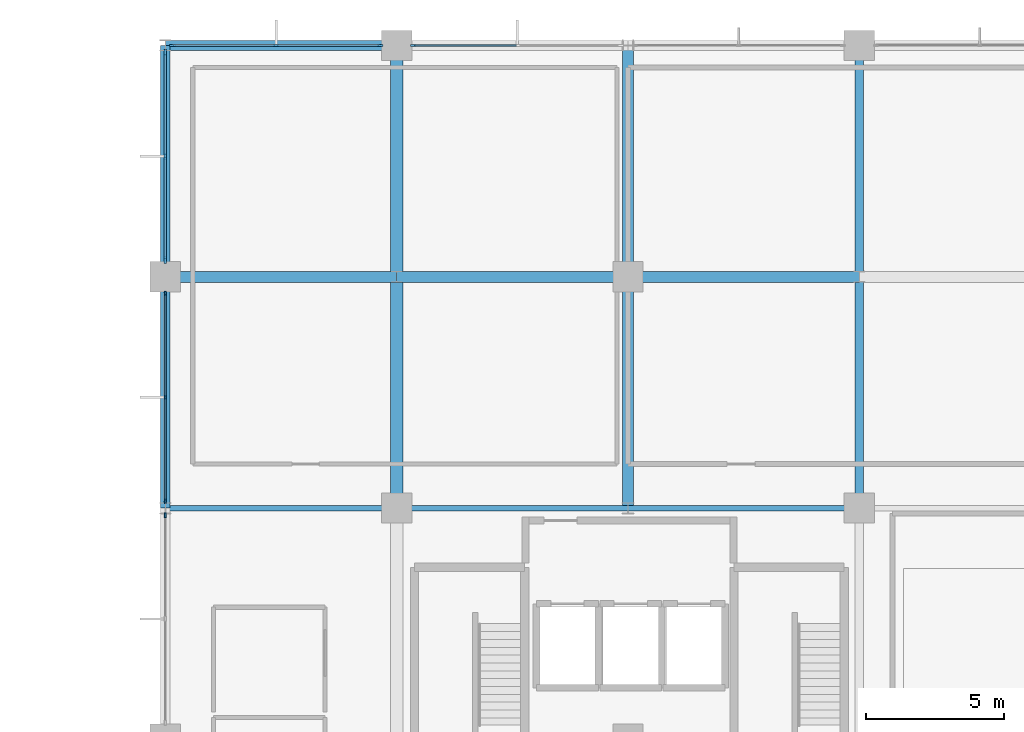
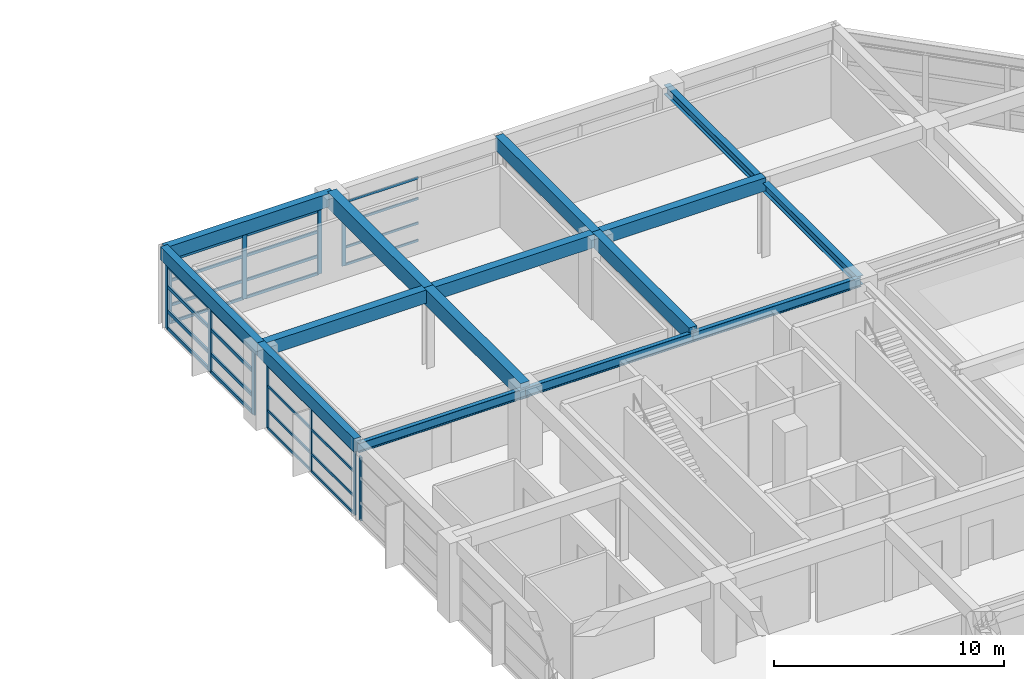
# One storey, part 10 of 19: 39 members, 15 beams, 5 elements without a shape of their own.
"""IFC4 building model written with IfcOpenShell, lengths in metres."""

from ifc_helpers import new_model, si_unit, direction, frame, origin, origin_2d, place, context, subcontext, project, spatial, rectangle, i_section, extrude, material, material_profile, profile_set, type_object, element, aggregate, save


model = new_model("IFC4")

# Units and contexts
model_context = context("Model", 3, precision=1e-05, world=origin(), true_north=direction((0.0, 1.0)))
body_context = subcontext(model_context, "Body", "Model", "MODEL_VIEW")
ifc_project = project(units=[si_unit("LENGTHUNIT", "METRE"), si_unit("AREAUNIT", "SQUARE_METRE"), si_unit("VOLUMEUNIT", "CUBIC_METRE"), si_unit("PLANEANGLEUNIT", "RADIAN"), si_unit("MASSUNIT", "GRAM", prefix="KILO")], contexts=[model_context])

# Site, building, storey
site_placement = place(None, origin())
site = spatial("IfcSite", under=ifc_project, at=site_placement, CompositionType="ELEMENT")
building_placement = place(site_placement, origin())
building = spatial("IfcBuilding", under=site, at=building_placement, Name="Xuanlan Plaza Opera House", CompositionType="ELEMENT")
storey_placement = place(building_placement, frame((0.0, 0.0, 36.300048828125)))
storey = spatial("IfcBuildingStorey", under=building, at=storey_placement, Name="L08", CompositionType="ELEMENT", Elevation=36.300048828125)

# Curtain wall, members
ifc_material_1 = material(Name="Anodised Aluminium 6063-T6 and Low-E Glass", Category="aluminium")
curtain_wall_type_1 = type_object("IfcCurtainWallType", Name="ENV-CW-CW-02", PredefinedType="USERDEFINED", material=ifc_material_1)
curtain_wall_1_placement = place(storey_placement, origin())
curtain_wall_1 = element("IfcCurtainWall", 1, at=curtain_wall_1_placement, inside=storey, type_object=curtain_wall_type_1, Name="Unitised Curtain Wall L08-016", ObjectType="UNITISED CURTAIN WALL", PredefinedType="USERDEFINED")
ifc_material_2 = material(Name="Anodised Aluminium 6063-T6", Category="aluminium")
ifc_material_profile_1 = material_profile(ifc_material_2, rectangle(XDim=0.06494140625, YDim=0.159912109375, at=origin_2d()), Name="ALU-M 65x160")
ifc_profile_set_1 = profile_set([ifc_material_profile_1], Name="Anodised Aluminium 6063-T6")
member_type_1 = type_object("IfcMemberType", Name="ENV-CWM-01", PredefinedType="MULLION", material=ifc_profile_set_1)
member_1_placement = place(storey_placement, frame((126.0, 74.99755859375, 0.0), z_axis=(0.0, 0.0, 1.0), x_axis=(1.0, 0.0, 0.0)))
member_1 = element("IfcMember", 2, at=member_1_placement, type_object=member_type_1, Name="CW-02 mullion 1", PredefinedType="MULLION", context=body_context, shape_type="SweptSolid", body=[
    extrude(rectangle(XDim=0.06494140625, YDim=0.159912109375, at=origin_2d()), origin(), (0.0, 0.0, 1.0), 3.3798828125),
])
member_2_placement = place(storey_placement, frame((126.0, 71.22509765625, 0.0), z_axis=(0.0, 0.0, 1.0), x_axis=(1.0, 0.0, 0.0)))
member_2 = element("IfcMember", 3, at=member_2_placement, type_object=member_type_1, Name="CW-02 mullion 2", PredefinedType="MULLION", context=body_context, shape_type="SweptSolid", body=[
    extrude(rectangle(XDim=0.06494140625, YDim=0.159912109375, at=origin_2d()), origin(), (0.0, 0.0, 1.0), 3.3798828125),
])
member_3_placement = place(storey_placement, frame((126.0, 67.452392578125, 0.0), z_axis=(0.0, 0.0, 1.0), x_axis=(1.0, 0.0, 0.0)))
member_3 = element("IfcMember", 4, at=member_3_placement, type_object=member_type_1, Name="CW-02 mullion 3", PredefinedType="MULLION", context=body_context, shape_type="SweptSolid", body=[
    extrude(rectangle(XDim=0.06494140625, YDim=0.159912109375, at=origin_2d()), origin(), (0.0, 0.0, 1.0), 3.3798828125),
])

# Curtain wall, member
curtain_wall_type_2 = type_object("IfcCurtainWallType", Name="ENV-CW-CW-03", PredefinedType="USERDEFINED", material=ifc_material_1)
curtain_wall_2_placement = place(storey_placement, origin())
curtain_wall_2 = element("IfcCurtainWall", 5, at=curtain_wall_2_placement, inside=storey, type_object=curtain_wall_type_2, Name="Unitised Curtain Wall L08-017", ObjectType="UNITISED CURTAIN WALL", PredefinedType="USERDEFINED")
ifc_material_profile_2 = material_profile(ifc_material_2, rectangle(XDim=0.070068359375, YDim=0.179931640625, at=origin_2d()), Name="ALU-M 70x180")
ifc_profile_set_2 = profile_set([ifc_material_profile_2], Name="Anodised Aluminium 6063-T6")
member_type_2 = type_object("IfcMemberType", Name="ENV-CWM-02", PredefinedType="MULLION", material=ifc_profile_set_2)
member_4_placement = place(storey_placement, frame((126.0, 66.945068359375, 0.0), z_axis=(0.0, 0.0, 1.0), x_axis=(1.0, 0.0, 0.0)))
member_4 = element("IfcMember", 6, at=member_4_placement, type_object=member_type_2, Name="CW-03 mullion 1", PredefinedType="MULLION", context=body_context, shape_type="SweptSolid", body=[
    extrude(rectangle(XDim=0.070068359375, YDim=0.179931640625, at=origin_2d()), origin(), (0.0, 0.0, 1.0), 3.3798828125),
])
aggregate(curtain_wall_2, [member_4])

curtain_wall_3_placement = place(storey_placement, origin())
curtain_wall_3 = element("IfcCurtainWall", 7, at=curtain_wall_3_placement, inside=storey, type_object=curtain_wall_type_2, Name="Unitised Curtain Wall L08-013", ObjectType="UNITISED CURTAIN WALL", PredefinedType="USERDEFINED")
ifc_material_profile_3 = material_profile(ifc_material_2, rectangle(XDim=0.074951171875, YDim=0.199951171875, at=origin_2d()), Name="ALU-M 75x200")
ifc_profile_set_3 = profile_set([ifc_material_profile_3], Name="Anodised Aluminium 6063-T6")
member_type_3 = type_object("IfcMemberType", Name="ENV-CWM-03", PredefinedType="MULLION", material=ifc_profile_set_3)
member_5_placement = place(storey_placement, frame((135.007568359375, 84.0, 0.0), z_axis=(0.0, 0.0, 1.0), x_axis=(0.0, -1.0, 0.0)))
member_5 = element("IfcMember", 8, at=member_5_placement, type_object=member_type_3, Name="CW-03 mullion 3", PredefinedType="MULLION", context=body_context, shape_type="SweptSolid", body=[
    extrude(rectangle(XDim=0.074951171875, YDim=0.199951171875, at=origin_2d()), origin(), (0.0, 0.0, 1.0), 3.3798828125),
])

# Curtain wall, members
curtain_wall_type_3 = type_object("IfcCurtainWallType", Name="ENV-CW-CW-04", PredefinedType="USERDEFINED", material=ifc_material_1)
curtain_wall_4_placement = place(storey_placement, origin())
curtain_wall_4 = element("IfcCurtainWall", 9, at=curtain_wall_4_placement, inside=storey, type_object=curtain_wall_type_3, Name="Unitised Curtain Wall L08-014", ObjectType="UNITISED CURTAIN WALL", PredefinedType="USERDEFINED")
ifc_material_profile_4 = material_profile(ifc_material_2, rectangle(XDim=0.080078125, YDim=0.219970703125, at=origin_2d()), Name="ALU-M 80x220")
ifc_profile_set_4 = profile_set([ifc_material_profile_4], Name="Anodised Aluminium 6063-T6")
member_type_4 = type_object("IfcMemberType", Name="ENV-CWM-04", PredefinedType="MULLION", material=ifc_profile_set_4)
member_6_placement = place(storey_placement, frame((133.7900390625, 84.0, 0.0), z_axis=(0.0, 0.0, 1.0), x_axis=(0.0, -1.0, 0.0)))
member_6 = element("IfcMember", 10, at=member_6_placement, type_object=member_type_4, Name="CW-04 mullion 1", PredefinedType="MULLION", context=body_context, shape_type="SweptSolid", body=[
    extrude(rectangle(XDim=0.080078125, YDim=0.219970703125, at=origin_2d()), origin(), (0.0, 0.0, 1.0), 3.3798828125),
])
member_7_placement = place(storey_placement, frame((130.02490234375, 84.0, 0.0), z_axis=(0.0, 0.0, 1.0), x_axis=(0.0, -1.0, 0.0)))
member_7 = element("IfcMember", 11, at=member_7_placement, type_object=member_type_4, Name="CW-04 mullion 2", PredefinedType="MULLION", context=body_context, shape_type="SweptSolid", body=[
    extrude(rectangle(XDim=0.080078125, YDim=0.219970703125, at=origin_2d()), origin(), (0.0, 0.0, 1.0), 3.3798828125),
])
member_8_placement = place(storey_placement, frame((126.260009765625, 84.0, 0.0), z_axis=(0.0, 0.0, 1.0), x_axis=(0.0, -1.0, 0.0)))
member_8 = element("IfcMember", 12, at=member_8_placement, type_object=member_type_4, Name="CW-04 mullion 3", PredefinedType="MULLION", context=body_context, shape_type="SweptSolid", body=[
    extrude(rectangle(XDim=0.080078125, YDim=0.219970703125, at=origin_2d()), origin(), (0.0, 0.0, 1.0), 3.3798828125),
])

curtain_wall_type_4 = type_object("IfcCurtainWallType", Name="ENV-CW-CW-01", PredefinedType="USERDEFINED", material=ifc_material_1)
curtain_wall_5_placement = place(storey_placement, origin())
curtain_wall_5 = element("IfcCurtainWall", 13, at=curtain_wall_5_placement, inside=storey, type_object=curtain_wall_type_4, Name="Unitised Curtain Wall L08-015", ObjectType="UNITISED CURTAIN WALL", PredefinedType="USERDEFINED")
ifc_material_profile_5 = material_profile(ifc_material_2, rectangle(XDim=0.090087890625, YDim=0.25, at=origin_2d()), Name="ALU-M 90x250")
ifc_profile_set_5 = profile_set([ifc_material_profile_5], Name="Anodised Aluminium 6063-T6")
member_type_5 = type_object("IfcMemberType", Name="ENV-CWM-05", PredefinedType="MULLION", material=ifc_profile_set_5)
member_9_placement = place(storey_placement, frame((126.0, 83.735107421875, 0.0), z_axis=(0.0, 0.0, 1.0), x_axis=(1.0, 0.0, 0.0)))
member_9 = element("IfcMember", 14, at=member_9_placement, type_object=member_type_5, Name="CW-01 mullion 1", PredefinedType="MULLION", context=body_context, shape_type="SweptSolid", body=[
    extrude(rectangle(XDim=0.090087890625, YDim=0.25, at=origin_2d()), origin(), (0.0, 0.0, 1.0), 3.3798828125),
])
member_10_placement = place(storey_placement, frame((126.0, 79.97509765625, 0.0), z_axis=(0.0, 0.0, 1.0), x_axis=(1.0, 0.0, 0.0)))
member_10 = element("IfcMember", 15, at=member_10_placement, type_object=member_type_5, Name="CW-01 mullion 2", PredefinedType="MULLION", context=body_context, shape_type="SweptSolid", body=[
    extrude(rectangle(XDim=0.090087890625, YDim=0.25, at=origin_2d()), origin(), (0.0, 0.0, 1.0), 3.3798828125),
])
member_11_placement = place(storey_placement, frame((126.0, 76.215087890625, 0.0), z_axis=(0.0, 0.0, 1.0), x_axis=(1.0, 0.0, 0.0)))
member_11 = element("IfcMember", 16, at=member_11_placement, type_object=member_type_5, Name="CW-01 mullion 3", PredefinedType="MULLION", context=body_context, shape_type="SweptSolid", body=[
    extrude(rectangle(XDim=0.090087890625, YDim=0.25, at=origin_2d()), origin(), (0.0, 0.0, 1.0), 3.3798828125),
])

# Member
ifc_material_profile_6 = material_profile(ifc_material_2, rectangle(XDim=0.06494140625, YDim=0.1201171875, at=origin_2d()), Name="ALU-T 65x120")
ifc_profile_set_6 = profile_set([ifc_material_profile_6], Name="Anodised Aluminium 6063-T6")
member_type_6 = type_object("IfcMemberType", Name="ENV-CWT-01", PredefinedType="USERDEFINED", material=ifc_profile_set_6)
member_12_placement = place(storey_placement, frame((138.737548828125, 84.0, 0.032470703125), z_axis=(-1.0, 0.0, 0.0), x_axis=(0.0, -1.0, 0.0)))
member_12 = element("IfcMember", 17, at=member_12_placement, type_object=member_type_6, Name="CW-03 transom 2.1", ObjectType="TRANSOM", PredefinedType="USERDEFINED", context=body_context, shape_type="SweptSolid", body=[
    extrude(rectangle(XDim=0.06494140625, YDim=0.1201171875, at=origin_2d()), origin(), (0.0, 0.0, 1.0), 3.692626953125),
])

member_13_placement = place(storey_placement, frame((138.737548828125, 84.0, 0.949951171875), z_axis=(-1.0, 0.0, 0.0), x_axis=(0.0, -1.0, 0.0)))
member_13 = element("IfcMember", 18, at=member_13_placement, type_object=member_type_6, Name="CW-03 transom 2.2", ObjectType="TRANSOM", PredefinedType="USERDEFINED", context=body_context, shape_type="SweptSolid", body=[
    extrude(rectangle(XDim=0.06494140625, YDim=0.1201171875, at=origin_2d()), origin(), (0.0, 0.0, 1.0), 3.692626953125),
])

member_14_placement = place(storey_placement, frame((138.737548828125, 84.0, 2.25), z_axis=(-1.0, 0.0, 0.0), x_axis=(0.0, -1.0, 0.0)))
member_14 = element("IfcMember", 19, at=member_14_placement, type_object=member_type_6, Name="CW-03 transom 2.3", ObjectType="TRANSOM", PredefinedType="USERDEFINED", context=body_context, shape_type="SweptSolid", body=[
    extrude(rectangle(XDim=0.06494140625, YDim=0.1201171875, at=origin_2d()), origin(), (0.0, 0.0, 1.0), 3.692626953125),
])

member_15_placement = place(storey_placement, frame((138.737548828125, 84.0, 3.347412109375), z_axis=(-1.0, 0.0, 0.0), x_axis=(0.0, -1.0, 0.0)))
member_15 = element("IfcMember", 20, at=member_15_placement, type_object=member_type_6, Name="CW-03 transom 2.4", ObjectType="TRANSOM", PredefinedType="USERDEFINED", context=body_context, shape_type="SweptSolid", body=[
    extrude(rectangle(XDim=0.06494140625, YDim=0.1201171875, at=origin_2d()), origin(), (0.0, 0.0, 1.0), 3.692626953125),
])

aggregate(curtain_wall_3, [member_5, member_12, member_13, member_14, member_15])

ifc_material_profile_7 = material_profile(ifc_material_2, rectangle(XDim=0.070068359375, YDim=0.135009765625, at=origin_2d()), Name="ALU-T 70x135")
ifc_profile_set_7 = profile_set([ifc_material_profile_7], Name="Anodised Aluminium 6063-T6")
member_type_7 = type_object("IfcMemberType", Name="ENV-CWT-02", PredefinedType="USERDEFINED", material=ifc_profile_set_7)
member_16_placement = place(storey_placement, frame((126.0, 74.965087890625, 0.034912109375), z_axis=(0.0, -1.0, 0.0), x_axis=(1.0, 0.0, 0.0)))
member_16 = element("IfcMember", 21, at=member_16_placement, type_object=member_type_7, Name="CW-02 transom 1.1", ObjectType="TRANSOM", PredefinedType="USERDEFINED", context=body_context, shape_type="SweptSolid", body=[
    extrude(rectangle(XDim=0.070068359375, YDim=0.135009765625, at=origin_2d()), origin(), (0.0, 0.0, 1.0), 3.70751953125),
])

member_17_placement = place(storey_placement, frame((126.0, 74.965087890625, 0.949951171875), z_axis=(0.0, -1.0, 0.0), x_axis=(1.0, 0.0, 0.0)))
member_17 = element("IfcMember", 22, at=member_17_placement, type_object=member_type_7, Name="CW-02 transom 1.2", ObjectType="TRANSOM", PredefinedType="USERDEFINED", context=body_context, shape_type="SweptSolid", body=[
    extrude(rectangle(XDim=0.070068359375, YDim=0.135009765625, at=origin_2d()), origin(), (0.0, 0.0, 1.0), 3.70751953125),
])

member_18_placement = place(storey_placement, frame((126.0, 74.965087890625, 2.25), z_axis=(0.0, -1.0, 0.0), x_axis=(1.0, 0.0, 0.0)))
member_18 = element("IfcMember", 23, at=member_18_placement, type_object=member_type_7, Name="CW-02 transom 1.3", ObjectType="TRANSOM", PredefinedType="USERDEFINED", context=body_context, shape_type="SweptSolid", body=[
    extrude(rectangle(XDim=0.070068359375, YDim=0.135009765625, at=origin_2d()), origin(), (0.0, 0.0, 1.0), 3.70751953125),
])

member_19_placement = place(storey_placement, frame((126.0, 74.965087890625, 3.344970703125), z_axis=(0.0, -1.0, 0.0), x_axis=(1.0, 0.0, 0.0)))
member_19 = element("IfcMember", 24, at=member_19_placement, type_object=member_type_7, Name="CW-02 transom 1.4", ObjectType="TRANSOM", PredefinedType="USERDEFINED", context=body_context, shape_type="SweptSolid", body=[
    extrude(rectangle(XDim=0.070068359375, YDim=0.135009765625, at=origin_2d()), origin(), (0.0, 0.0, 1.0), 3.70751953125),
])

member_20_placement = place(storey_placement, frame((126.0, 71.1923828125, 0.034912109375), z_axis=(0.0, -1.0, 0.0), x_axis=(1.0, 0.0, 0.0)))
member_20 = element("IfcMember", 25, at=member_20_placement, type_object=member_type_7, Name="CW-02 transom 2.1", ObjectType="TRANSOM", PredefinedType="USERDEFINED", context=body_context, shape_type="SweptSolid", body=[
    extrude(rectangle(XDim=0.070068359375, YDim=0.135009765625, at=origin_2d()), origin(), (0.0, 0.0, 1.0), 3.707275390625),
])

member_21_placement = place(storey_placement, frame((126.0, 71.1923828125, 0.949951171875), z_axis=(0.0, -1.0, 0.0), x_axis=(1.0, 0.0, 0.0)))
member_21 = element("IfcMember", 26, at=member_21_placement, type_object=member_type_7, Name="CW-02 transom 2.2", ObjectType="TRANSOM", PredefinedType="USERDEFINED", context=body_context, shape_type="SweptSolid", body=[
    extrude(rectangle(XDim=0.070068359375, YDim=0.135009765625, at=origin_2d()), origin(), (0.0, 0.0, 1.0), 3.707275390625),
])

member_22_placement = place(storey_placement, frame((126.0, 71.1923828125, 2.25), z_axis=(0.0, -1.0, 0.0), x_axis=(1.0, 0.0, 0.0)))
member_22 = element("IfcMember", 27, at=member_22_placement, type_object=member_type_7, Name="CW-02 transom 2.3", ObjectType="TRANSOM", PredefinedType="USERDEFINED", context=body_context, shape_type="SweptSolid", body=[
    extrude(rectangle(XDim=0.070068359375, YDim=0.135009765625, at=origin_2d()), origin(), (0.0, 0.0, 1.0), 3.707275390625),
])

member_23_placement = place(storey_placement, frame((126.0, 71.1923828125, 3.344970703125), z_axis=(0.0, -1.0, 0.0), x_axis=(1.0, 0.0, 0.0)))
member_23 = element("IfcMember", 28, at=member_23_placement, type_object=member_type_7, Name="CW-02 transom 2.4", ObjectType="TRANSOM", PredefinedType="USERDEFINED", context=body_context, shape_type="SweptSolid", body=[
    extrude(rectangle(XDim=0.070068359375, YDim=0.135009765625, at=origin_2d()), origin(), (0.0, 0.0, 1.0), 3.707275390625),
])

aggregate(curtain_wall_1, [member_1, member_2, member_3, member_16, member_17, member_18, member_19, member_20, member_21, member_22, member_23])

ifc_material_profile_8 = material_profile(ifc_material_2, rectangle(XDim=0.074951171875, YDim=0.14990234375, at=origin_2d()), Name="ALU-T 75x150")
ifc_profile_set_8 = profile_set([ifc_material_profile_8], Name="Anodised Aluminium 6063-T6")
member_type_8 = type_object("IfcMemberType", Name="ENV-CWT-03", PredefinedType="USERDEFINED", material=ifc_profile_set_8)
member_24_placement = place(storey_placement, frame((133.75, 84.0, 0.037353515625), z_axis=(-1.0, 0.0, 0.0), x_axis=(0.0, -1.0, 0.0)))
member_24 = element("IfcMember", 29, at=member_24_placement, type_object=member_type_8, Name="CW-04 transom 1.1", ObjectType="TRANSOM", PredefinedType="USERDEFINED", context=body_context, shape_type="SweptSolid", body=[
    extrude(rectangle(XDim=0.074951171875, YDim=0.14990234375, at=origin_2d()), origin(), (0.0, 0.0, 1.0), 3.68505859375),
])

member_25_placement = place(storey_placement, frame((133.75, 84.0, 0.949951171875), z_axis=(-1.0, 0.0, 0.0), x_axis=(0.0, -1.0, 0.0)))
member_25 = element("IfcMember", 30, at=member_25_placement, type_object=member_type_8, Name="CW-04 transom 1.2", ObjectType="TRANSOM", PredefinedType="USERDEFINED", context=body_context, shape_type="SweptSolid", body=[
    extrude(rectangle(XDim=0.074951171875, YDim=0.14990234375, at=origin_2d()), origin(), (0.0, 0.0, 1.0), 3.68505859375),
])

member_26_placement = place(storey_placement, frame((133.75, 84.0, 2.25), z_axis=(-1.0, 0.0, 0.0), x_axis=(0.0, -1.0, 0.0)))
member_26 = element("IfcMember", 31, at=member_26_placement, type_object=member_type_8, Name="CW-04 transom 1.3", ObjectType="TRANSOM", PredefinedType="USERDEFINED", context=body_context, shape_type="SweptSolid", body=[
    extrude(rectangle(XDim=0.074951171875, YDim=0.14990234375, at=origin_2d()), origin(), (0.0, 0.0, 1.0), 3.68505859375),
])

member_27_placement = place(storey_placement, frame((133.75, 84.0, 3.342529296875), z_axis=(-1.0, 0.0, 0.0), x_axis=(0.0, -1.0, 0.0)))
member_27 = element("IfcMember", 32, at=member_27_placement, type_object=member_type_8, Name="CW-04 transom 1.4", ObjectType="TRANSOM", PredefinedType="USERDEFINED", context=body_context, shape_type="SweptSolid", body=[
    extrude(rectangle(XDim=0.074951171875, YDim=0.14990234375, at=origin_2d()), origin(), (0.0, 0.0, 1.0), 3.68505859375),
])

member_28_placement = place(storey_placement, frame((129.985107421875, 84.0, 0.037353515625), z_axis=(-1.0, 0.0, 0.0), x_axis=(0.0, -1.0, 0.0)))
member_28 = element("IfcMember", 33, at=member_28_placement, type_object=member_type_8, Name="CW-04 transom 2.1", ObjectType="TRANSOM", PredefinedType="USERDEFINED", context=body_context, shape_type="SweptSolid", body=[
    extrude(rectangle(XDim=0.074951171875, YDim=0.14990234375, at=origin_2d()), origin(), (0.0, 0.0, 1.0), 3.68505859375),
])

member_29_placement = place(storey_placement, frame((129.985107421875, 84.0, 0.949951171875), z_axis=(-1.0, 0.0, 0.0), x_axis=(0.0, -1.0, 0.0)))
member_29 = element("IfcMember", 34, at=member_29_placement, type_object=member_type_8, Name="CW-04 transom 2.2", ObjectType="TRANSOM", PredefinedType="USERDEFINED", context=body_context, shape_type="SweptSolid", body=[
    extrude(rectangle(XDim=0.074951171875, YDim=0.14990234375, at=origin_2d()), origin(), (0.0, 0.0, 1.0), 3.68505859375),
])

member_30_placement = place(storey_placement, frame((129.985107421875, 84.0, 2.25), z_axis=(-1.0, 0.0, 0.0), x_axis=(0.0, -1.0, 0.0)))
member_30 = element("IfcMember", 35, at=member_30_placement, type_object=member_type_8, Name="CW-04 transom 2.3", ObjectType="TRANSOM", PredefinedType="USERDEFINED", context=body_context, shape_type="SweptSolid", body=[
    extrude(rectangle(XDim=0.074951171875, YDim=0.14990234375, at=origin_2d()), origin(), (0.0, 0.0, 1.0), 3.68505859375),
])

member_31_placement = place(storey_placement, frame((129.985107421875, 84.0, 3.342529296875), z_axis=(-1.0, 0.0, 0.0), x_axis=(0.0, -1.0, 0.0)))
member_31 = element("IfcMember", 36, at=member_31_placement, type_object=member_type_8, Name="CW-04 transom 2.4", ObjectType="TRANSOM", PredefinedType="USERDEFINED", context=body_context, shape_type="SweptSolid", body=[
    extrude(rectangle(XDim=0.074951171875, YDim=0.14990234375, at=origin_2d()), origin(), (0.0, 0.0, 1.0), 3.68505859375),
])

aggregate(curtain_wall_4, [member_6, member_7, member_8, member_24, member_25, member_26, member_27, member_28, member_29, member_30, member_31])

ifc_material_profile_9 = material_profile(ifc_material_2, rectangle(XDim=0.090087890625, YDim=0.179931640625, at=origin_2d()), Name="ALU-T 90x180")
ifc_profile_set_9 = profile_set([ifc_material_profile_9], Name="Anodised Aluminium 6063-T6")
member_type_9 = type_object("IfcMemberType", Name="ENV-CWT-05", PredefinedType="USERDEFINED", material=ifc_profile_set_9)
member_32_placement = place(storey_placement, frame((126.0, 83.68994140625, 0.044921875), z_axis=(0.0, -1.0, 0.0), x_axis=(1.0, 0.0, 0.0)))
member_32 = element("IfcMember", 37, at=member_32_placement, type_object=member_type_9, Name="CW-01 transom 1.1", ObjectType="TRANSOM", PredefinedType="USERDEFINED", context=body_context, shape_type="SweptSolid", body=[
    extrude(rectangle(XDim=0.090087890625, YDim=0.179931640625, at=origin_2d()), origin(), (0.0, 0.0, 1.0), 3.669921875),
])

member_33_placement = place(storey_placement, frame((126.0, 83.68994140625, 0.949951171875), z_axis=(0.0, -1.0, 0.0), x_axis=(1.0, 0.0, 0.0)))
member_33 = element("IfcMember", 38, at=member_33_placement, type_object=member_type_9, Name="CW-01 transom 1.2", ObjectType="TRANSOM", PredefinedType="USERDEFINED", context=body_context, shape_type="SweptSolid", body=[
    extrude(rectangle(XDim=0.090087890625, YDim=0.179931640625, at=origin_2d()), origin(), (0.0, 0.0, 1.0), 3.669921875),
])

member_34_placement = place(storey_placement, frame((126.0, 83.68994140625, 2.25), z_axis=(0.0, -1.0, 0.0), x_axis=(1.0, 0.0, 0.0)))
member_34 = element("IfcMember", 39, at=member_34_placement, type_object=member_type_9, Name="CW-01 transom 1.3", ObjectType="TRANSOM", PredefinedType="USERDEFINED", context=body_context, shape_type="SweptSolid", body=[
    extrude(rectangle(XDim=0.090087890625, YDim=0.179931640625, at=origin_2d()), origin(), (0.0, 0.0, 1.0), 3.669921875),
])

member_35_placement = place(storey_placement, frame((126.0, 83.68994140625, 3.3349609375), z_axis=(0.0, -1.0, 0.0), x_axis=(1.0, 0.0, 0.0)))
member_35 = element("IfcMember", 40, at=member_35_placement, type_object=member_type_9, Name="CW-01 transom 1.4", ObjectType="TRANSOM", PredefinedType="USERDEFINED", context=body_context, shape_type="SweptSolid", body=[
    extrude(rectangle(XDim=0.090087890625, YDim=0.179931640625, at=origin_2d()), origin(), (0.0, 0.0, 1.0), 3.669921875),
])

member_36_placement = place(storey_placement, frame((126.0, 79.929931640625, 0.044921875), z_axis=(0.0, -1.0, 0.0), x_axis=(1.0, 0.0, 0.0)))
member_36 = element("IfcMember", 41, at=member_36_placement, type_object=member_type_9, Name="CW-01 transom 2.1", ObjectType="TRANSOM", PredefinedType="USERDEFINED", context=body_context, shape_type="SweptSolid", body=[
    extrude(rectangle(XDim=0.090087890625, YDim=0.179931640625, at=origin_2d()), origin(), (0.0, 0.0, 1.0), 3.669921875),
])

member_37_placement = place(storey_placement, frame((126.0, 79.929931640625, 0.949951171875), z_axis=(0.0, -1.0, 0.0), x_axis=(1.0, 0.0, 0.0)))
member_37 = element("IfcMember", 42, at=member_37_placement, type_object=member_type_9, Name="CW-01 transom 2.2", ObjectType="TRANSOM", PredefinedType="USERDEFINED", context=body_context, shape_type="SweptSolid", body=[
    extrude(rectangle(XDim=0.090087890625, YDim=0.179931640625, at=origin_2d()), origin(), (0.0, 0.0, 1.0), 3.669921875),
])

member_38_placement = place(storey_placement, frame((126.0, 79.929931640625, 2.25), z_axis=(0.0, -1.0, 0.0), x_axis=(1.0, 0.0, 0.0)))
member_38 = element("IfcMember", 43, at=member_38_placement, type_object=member_type_9, Name="CW-01 transom 2.3", ObjectType="TRANSOM", PredefinedType="USERDEFINED", context=body_context, shape_type="SweptSolid", body=[
    extrude(rectangle(XDim=0.090087890625, YDim=0.179931640625, at=origin_2d()), origin(), (0.0, 0.0, 1.0), 3.669921875),
])

member_39_placement = place(storey_placement, frame((126.0, 79.929931640625, 3.3349609375), z_axis=(0.0, -1.0, 0.0), x_axis=(1.0, 0.0, 0.0)))
member_39 = element("IfcMember", 44, at=member_39_placement, type_object=member_type_9, Name="CW-01 transom 2.4", ObjectType="TRANSOM", PredefinedType="USERDEFINED", context=body_context, shape_type="SweptSolid", body=[
    extrude(rectangle(XDim=0.090087890625, YDim=0.179931640625, at=origin_2d()), origin(), (0.0, 0.0, 1.0), 3.669921875),
])

aggregate(curtain_wall_5, [member_9, member_10, member_11, member_32, member_33, member_34, member_35, member_36, member_37, member_38, member_39])

# Beams
ifc_material_3 = material(Name="Concrete C40", Category="concrete")
ifc_material_profile_10 = material_profile(ifc_material_3, rectangle(XDim=0.449951171875, YDim=0.85009765625, at=origin_2d()), Name="RC-BM 450x850")
ifc_profile_set_10 = profile_set([ifc_material_profile_10], Name="Concrete C40")
beam_type_1 = type_object("IfcBeamType", Name="STR-BM-B-04", PredefinedType="BEAM", material=ifc_profile_set_10)
beam_1_placement = place(storey_placement, frame((134.39990234375, 67.199951171875, 3.77490234375), z_axis=(0.0, 1.0, 0.0), x_axis=(-1.0, 0.0, 0.0)))
element("IfcBeam", 45, at=beam_1_placement, inside=storey, type_object=beam_type_1, Name="Grid Beam Y L08 17/I-J", PredefinedType="BEAM", context=body_context, shape_type="SweptSolid", body=[
    extrude(rectangle(XDim=0.449951171875, YDim=0.85009765625, at=origin_2d()), origin(), (0.0, 0.0, 1.0), 8.400146484375),
])
beam_2_placement = place(storey_placement, frame((134.39990234375, 75.60009765625, 3.77490234375), z_axis=(0.0, 1.0, 0.0), x_axis=(-1.0, 0.0, 0.0)))
element("IfcBeam", 46, at=beam_2_placement, inside=storey, type_object=beam_type_1, Name="Grid Beam Y L08 17/J-K", PredefinedType="BEAM", context=body_context, shape_type="SweptSolid", body=[
    extrude(rectangle(XDim=0.449951171875, YDim=0.85009765625, at=origin_2d()), origin(), (0.0, 0.0, 1.0), 8.39990234375),
])
ifc_material_profile_11 = material_profile(ifc_material_3, rectangle(XDim=0.39990234375, YDim=0.75, at=origin_2d()), Name="RC-BM 400x750")
ifc_profile_set_11 = profile_set([ifc_material_profile_11], Name="Concrete C40")
beam_type_2 = type_object("IfcBeamType", Name="STR-BM-B-06", PredefinedType="BEAM", material=ifc_profile_set_11)
beam_3_placement = place(storey_placement, frame((142.800048828125, 67.199951171875, 3.824951171875), z_axis=(0.0, 1.0, 0.0), x_axis=(-1.0, 0.0, 0.0)))
element("IfcBeam", 47, at=beam_3_placement, inside=storey, type_object=beam_type_2, Name="Grid Beam Y L08 18/I-J", PredefinedType="BEAM", context=body_context, shape_type="SweptSolid", body=[
    extrude(rectangle(XDim=0.39990234375, YDim=0.75, at=origin_2d()), origin(), (0.0, 0.0, 1.0), 8.400146484375),
])
beam_4_placement = place(storey_placement, frame((142.800048828125, 75.60009765625, 3.824951171875), z_axis=(0.0, 1.0, 0.0), x_axis=(-1.0, 0.0, 0.0)))
element("IfcBeam", 48, at=beam_4_placement, inside=storey, type_object=beam_type_2, Name="Grid Beam Y L08 18/J-K", PredefinedType="BEAM", context=body_context, shape_type="SweptSolid", body=[
    extrude(rectangle(XDim=0.39990234375, YDim=0.75, at=origin_2d()), origin(), (0.0, 0.0, 1.0), 8.39990234375),
])
ifc_material_profile_12 = material_profile(ifc_material_3, rectangle(XDim=0.39990234375, YDim=0.699951171875, at=origin_2d()), Name="RC-BM 400x700")
ifc_profile_set_12 = profile_set([ifc_material_profile_12], Name="Concrete C40")
beam_type_3 = type_object("IfcBeamType", Name="STR-BM-B-07", PredefinedType="BEAM", material=ifc_profile_set_12)
beam_5_placement = place(storey_placement, frame((126.0, 75.60009765625, 3.849853515625), z_axis=(1.0, 0.0, 0.0), x_axis=(0.0, 1.0, 0.0)))
element("IfcBeam", 49, at=beam_5_placement, inside=storey, type_object=beam_type_3, Name="Grid Beam X L08 16-17/J", PredefinedType="BEAM", context=body_context, shape_type="SweptSolid", body=[
    extrude(rectangle(XDim=0.39990234375, YDim=0.699951171875, at=origin_2d()), origin(), (0.0, 0.0, 1.0), 8.39990234375),
])
beam_6_placement = place(storey_placement, frame((134.39990234375, 75.60009765625, 3.849853515625), z_axis=(1.0, 0.0, 0.0), x_axis=(0.0, 1.0, 0.0)))
element("IfcBeam", 50, at=beam_6_placement, inside=storey, type_object=beam_type_3, Name="Grid Beam X L08 17-18/J", PredefinedType="BEAM", context=body_context, shape_type="SweptSolid", body=[
    extrude(rectangle(XDim=0.39990234375, YDim=0.699951171875, at=origin_2d()), origin(), (0.0, 0.0, 1.0), 8.400146484375),
])
beam_7_placement = place(storey_placement, frame((142.800048828125, 75.60009765625, 3.849853515625), z_axis=(1.0, 0.0, 0.0), x_axis=(0.0, 1.0, 0.0)))
element("IfcBeam", 51, at=beam_7_placement, inside=storey, type_object=beam_type_3, Name="Grid Beam X L08 18-19/J", PredefinedType="BEAM", context=body_context, shape_type="SweptSolid", body=[
    extrude(rectangle(XDim=0.39990234375, YDim=0.699951171875, at=origin_2d()), origin(), (0.0, 0.0, 1.0), 8.39990234375),
])
ifc_material_4 = material(Name="Steel Q355B", Category="steel")
ifc_material_profile_13 = material_profile(ifc_material_4, i_section(OverallWidth=0.199951171875, OverallDepth=0.5, WebThickness=0.010009765625, FlangeThickness=0.01611328125, FilletRadius=0.02001953125, at=origin_2d()), Name="HN 500x200x10x16")
ifc_profile_set_13 = profile_set([ifc_material_profile_13], Name="Steel Q355B")
beam_type_4 = type_object("IfcBeamType", Name="STR-BM-SB-05", PredefinedType="BEAM", material=ifc_profile_set_13)
beam_8_placement = place(storey_placement, frame((126.0, 67.199951171875, 3.704833984375), z_axis=(1.0, 0.0, 0.0), x_axis=(0.0, 1.0, 0.0)))
element("IfcBeam", 52, at=beam_8_placement, inside=storey, type_object=beam_type_4, Name="Grid Beam X L08 16-17/I", PredefinedType="BEAM", context=body_context, shape_type="SweptSolid", body=[
    extrude(i_section(OverallWidth=0.199951171875, OverallDepth=0.5, WebThickness=0.010009765625, FlangeThickness=0.01611328125, FilletRadius=0.02001953125, at=origin_2d()), origin(), (0.0, 0.0, 1.0), 8.39990234375),
])
beam_9_placement = place(storey_placement, frame((134.39990234375, 67.199951171875, 3.704833984375), z_axis=(1.0, 0.0, 0.0), x_axis=(0.0, 1.0, 0.0)))
element("IfcBeam", 53, at=beam_9_placement, inside=storey, type_object=beam_type_4, Name="Grid Beam X L08 17-18/I", PredefinedType="BEAM", context=body_context, shape_type="SweptSolid", body=[
    extrude(i_section(OverallWidth=0.199951171875, OverallDepth=0.5, WebThickness=0.010009765625, FlangeThickness=0.01611328125, FilletRadius=0.02001953125, at=origin_2d()), origin(), (0.0, 0.0, 1.0), 8.400146484375),
])
beam_10_placement = place(storey_placement, frame((142.800048828125, 67.199951171875, 3.704833984375), z_axis=(1.0, 0.0, 0.0), x_axis=(0.0, 1.0, 0.0)))
element("IfcBeam", 54, at=beam_10_placement, inside=storey, type_object=beam_type_4, Name="Grid Beam X L08 18-19/I", PredefinedType="BEAM", context=body_context, shape_type="SweptSolid", body=[
    extrude(i_section(OverallWidth=0.199951171875, OverallDepth=0.5, WebThickness=0.010009765625, FlangeThickness=0.01611328125, FilletRadius=0.02001953125, at=origin_2d()), origin(), (0.0, 0.0, 1.0), 8.39990234375),
])
ifc_material_profile_14 = material_profile(ifc_material_4, i_section(OverallWidth=0.300048828125, OverallDepth=0.488037109375, WebThickness=0.010986328125, FlangeThickness=0.01806640625, FilletRadius=0.02197265625, at=origin_2d()), Name="HM 488x300x11x18")
ifc_profile_set_14 = profile_set([ifc_material_profile_14], Name="Steel Q355B")
beam_type_5 = type_object("IfcBeamType", Name="STR-BM-SB-07", PredefinedType="BEAM", material=ifc_profile_set_14)
beam_11_placement = place(storey_placement, frame((151.199951171875, 67.199951171875, 3.7109375), z_axis=(0.0, 1.0, 0.0), x_axis=(-1.0, 0.0, 0.0)))
element("IfcBeam", 55, at=beam_11_placement, inside=storey, type_object=beam_type_5, Name="Grid Beam Y L08 19/I-J", PredefinedType="BEAM", context=body_context, shape_type="SweptSolid", body=[
    extrude(i_section(OverallWidth=0.300048828125, OverallDepth=0.488037109375, WebThickness=0.010986328125, FlangeThickness=0.01806640625, FilletRadius=0.02197265625, at=origin_2d()), origin(), (0.0, 0.0, 1.0), 8.400146484375),
])
beam_12_placement = place(storey_placement, frame((151.199951171875, 75.60009765625, 3.7109375), z_axis=(0.0, 1.0, 0.0), x_axis=(-1.0, 0.0, 0.0)))
element("IfcBeam", 56, at=beam_12_placement, inside=storey, type_object=beam_type_5, Name="Grid Beam Y L08 19/J-K", PredefinedType="BEAM", context=body_context, shape_type="SweptSolid", body=[
    extrude(i_section(OverallWidth=0.300048828125, OverallDepth=0.488037109375, WebThickness=0.010986328125, FlangeThickness=0.01806640625, FilletRadius=0.02197265625, at=origin_2d()), origin(), (0.0, 0.0, 1.0), 8.39990234375),
])
ifc_material_profile_15 = material_profile(ifc_material_3, rectangle(XDim=0.35009765625, YDim=0.699951171875, at=origin_2d()), Name="RC-SPD 350x700")
ifc_profile_set_15 = profile_set([ifc_material_profile_15], Name="Concrete C40")
beam_type_6 = type_object("IfcBeamType", Name="STR-BM-SP-02", PredefinedType="SPANDREL", material=ifc_profile_set_15)
beam_13_placement = place(storey_placement, frame((126.0, 84.0, 3.849853515625), z_axis=(1.0, 0.0, 0.0), x_axis=(0.0, 1.0, 0.0)))
element("IfcBeam", 57, at=beam_13_placement, inside=storey, type_object=beam_type_6, Name="Grid Beam X L08 16-17/K", PredefinedType="SPANDREL", context=body_context, shape_type="SweptSolid", body=[
    extrude(rectangle(XDim=0.35009765625, YDim=0.699951171875, at=origin_2d()), origin(), (0.0, 0.0, 1.0), 8.39990234375),
])
beam_14_placement = place(storey_placement, frame((126.0, 67.199951171875, 3.849853515625), z_axis=(0.0, 1.0, 0.0), x_axis=(-1.0, 0.0, 0.0)))
element("IfcBeam", 58, at=beam_14_placement, inside=storey, type_object=beam_type_6, Name="Grid Beam Y L08 16/I-J", PredefinedType="SPANDREL", context=body_context, shape_type="SweptSolid", body=[
    extrude(rectangle(XDim=0.35009765625, YDim=0.699951171875, at=origin_2d()), origin(), (0.0, 0.0, 1.0), 8.400146484375),
])
beam_15_placement = place(storey_placement, frame((126.0, 75.60009765625, 3.849853515625), z_axis=(0.0, 1.0, 0.0), x_axis=(-1.0, 0.0, 0.0)))
element("IfcBeam", 59, at=beam_15_placement, inside=storey, type_object=beam_type_6, Name="Grid Beam Y L08 16/J-K", PredefinedType="SPANDREL", context=body_context, shape_type="SweptSolid", body=[
    extrude(rectangle(XDim=0.35009765625, YDim=0.699951171875, at=origin_2d()), origin(), (0.0, 0.0, 1.0), 8.39990234375),
])

save(model, "model.ifc")
